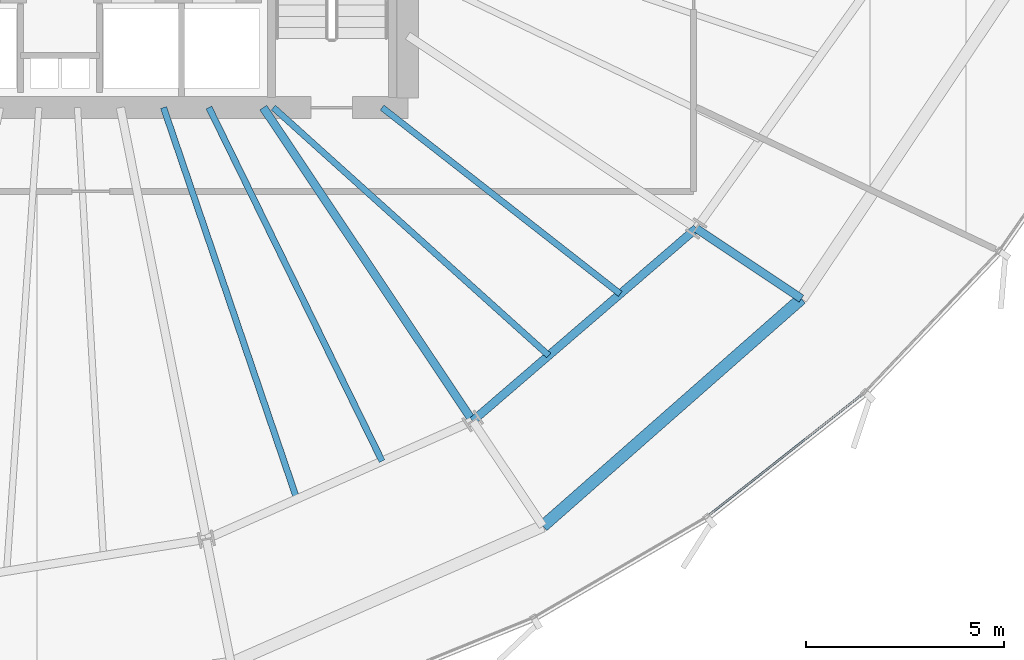
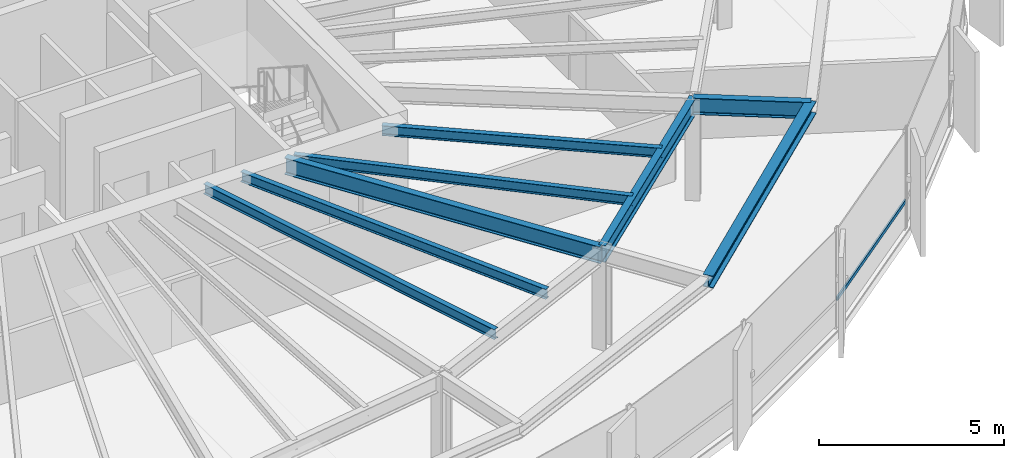
# One storey, part 13 of 35: 8 beams, 1 member, 1 element without a shape of its own.
"""IFC4 building model written with IfcOpenShell, lengths in metres."""

from ifc_helpers import new_model, si_unit, direction, frame, origin, origin_2d, place, context, subcontext, project, spatial, hollow_rectangle, i_section, extrude, source, transform, mapped, material, layer, layer_set, material_profile, profile_set, type_object, element, aggregate, save


model = new_model("IFC4")

# Units and contexts
model_context = context("Model", 3, precision=1e-05, world=origin(), true_north=direction((0.0, 1.0)))
body_context = subcontext(model_context, "Body", "Model", "MODEL_VIEW")
ifc_project = project(units=[si_unit("LENGTHUNIT", "METRE"), si_unit("AREAUNIT", "SQUARE_METRE"), si_unit("VOLUMEUNIT", "CUBIC_METRE"), si_unit("PLANEANGLEUNIT", "RADIAN"), si_unit("MASSUNIT", "GRAM", prefix="KILO"), si_unit("THERMODYNAMICTEMPERATUREUNIT", "KELVIN")], contexts=[model_context])

# Site, building, storey
site_placement = place(None, origin())
site = spatial("IfcSite", under=ifc_project, at=site_placement, CompositionType="ELEMENT")
building_placement = place(site_placement, origin())
building = spatial("IfcBuilding", under=site, at=building_placement, Name="Kethvar Cultural Tower", CompositionType="ELEMENT")
storey_placement = place(building_placement, frame((0.0, 0.0, 107.199951171875)))
storey = spatial("IfcBuildingStorey", under=building, at=storey_placement, Name="L26", CompositionType="ELEMENT", Elevation=107.199951171875)

# Beams
ifc_material_1 = material(Name="Steel S355J2", Category="steel")
ifc_material_profile_1 = material_profile(ifc_material_1, i_section(OverallWidth=0.2099609375, OverallDepth=0.550048828125, WebThickness=0.010986328125, FlangeThickness=0.01708984375, FilletRadius=0.02392578125, at=origin_2d()), Name="Steel S355J2 — IPE550")
ifc_profile_set_1 = profile_set([ifc_material_profile_1], Name="Steel S355J2 — IPE550")
beam_type_1 = type_object("IfcBeamType", Name="BM-IPE550", PredefinedType="BEAM", material=ifc_profile_set_1)
shared_shape_1 = source(origin(), body_context, "Body", "SweptSolid", [
    extrude(i_section(OverallWidth=0.2099609375, OverallDepth=0.550048828125, WebThickness=0.010986328125, FlangeThickness=0.01708984375, FilletRadius=0.02392578125, at=origin_2d()), origin(), (0.0, 0.0, 1.0), 3.199951171875),
])
beam_1_placement = place(storey_placement, frame((62.898681640625, 17.043212890625, 3.072998046875), z_axis=(0.831462943996, -0.555580212716, 0.0), x_axis=(0.555580212716, 0.831462943996, 0.0)))
element("IfcBeam", 1, at=beam_1_placement, inside=storey, type_object=beam_type_1, Name="L26 Perimeter Cantilever Beam RC-15", PredefinedType="BEAM", context=body_context, shape_type="MappedRepresentation", body=[
    mapped(shared_shape_1, transform((0.0, 0.0, 0.0), scale=1.0)),
])
shared_shape_2 = source(origin(), body_context, "Body", "SweptSolid", [
    extrude(i_section(OverallWidth=0.2099609375, OverallDepth=0.550048828125, WebThickness=0.010986328125, FlangeThickness=0.01708984375, FilletRadius=0.02392578125, at=origin_2d()), origin(), (0.0, 0.0, 1.0), 9.534423828125),
])
beam_2_placement = place(storey_placement, frame((51.945068359375, 20.10009765625, 3.072998046875), z_axis=(0.555550817894, -0.831482584747, 0.0), x_axis=(0.831482584747, 0.555550817894, 0.0)))
element("IfcBeam", 2, at=beam_2_placement, inside=storey, type_object=beam_type_1, Name="L26 Primary Radial Beam RB-14", PredefinedType="BEAM", context=body_context, shape_type="MappedRepresentation", body=[
    mapped(shared_shape_2, transform((0.0, 0.0, 0.0), scale=1.0)),
])
ifc_material_profile_2 = material_profile(ifc_material_1, i_section(OverallWidth=0.159912109375, OverallDepth=0.330078125, WebThickness=0.007568359375, FlangeThickness=0.011474609375, FilletRadius=0.01806640625, at=origin_2d()), Name="Steel S355J2 — IPE330")
ifc_profile_set_2 = profile_set([ifc_material_profile_2], Name="Steel S355J2 — IPE330")
beam_type_2 = type_object("IfcBeamType", Name="BM-J330", PredefinedType="JOIST", material=ifc_profile_set_2)
shared_shape_3 = source(origin(), body_context, "Body", "SweptSolid", [
    extrude(i_section(OverallWidth=0.159912109375, OverallDepth=0.330078125, WebThickness=0.007568359375, FlangeThickness=0.011474609375, FilletRadius=0.01806640625, at=origin_2d()), origin(), (0.0, 0.0, 1.0), 10.45947265625),
])
beam_3_placement = place(storey_placement, frame((49.42236328125, 20.10009765625, 3.18310546875), z_axis=(0.322390188368, -0.94660687006, 0.0), x_axis=(0.94660687006, 0.322390188368, 0.0)))
element("IfcBeam", 3, at=beam_3_placement, inside=storey, type_object=beam_type_2, Name="L26 Composite Floor Joist J-13A", PredefinedType="JOIST", context=body_context, shape_type="MappedRepresentation", body=[
    mapped(shared_shape_3, transform((0.0, 0.0, 0.0), scale=1.0)),
])
shared_shape_4 = source(origin(), body_context, "Body", "SweptSolid", [
    extrude(i_section(OverallWidth=0.159912109375, OverallDepth=0.330078125, WebThickness=0.007568359375, FlangeThickness=0.011474609375, FilletRadius=0.01806640625, at=origin_2d()), origin(), (0.0, 0.0, 1.0), 9.959228515625),
])
beam_4_placement = place(storey_placement, frame((50.57080078125, 20.10009765625, 3.18310546875), z_axis=(0.439785134514, -0.898103020516, 0.0), x_axis=(0.898103020516, 0.439785134514, 0.0)))
element("IfcBeam", 4, at=beam_4_placement, inside=storey, type_object=beam_type_2, Name="L26 Composite Floor Joist J-13B", PredefinedType="JOIST", context=body_context, shape_type="MappedRepresentation", body=[
    mapped(shared_shape_4, transform((0.0, 0.0, 0.0), scale=1.0)),
])
shared_shape_5 = source(origin(), body_context, "Body", "SweptSolid", [
    extrude(i_section(OverallWidth=0.2099609375, OverallDepth=0.550048828125, WebThickness=0.010986328125, FlangeThickness=0.01708984375, FilletRadius=0.02392578125, at=origin_2d()), origin(), (0.0, 0.0, 1.0), 7.46484375),
])
beam_5_placement = place(storey_placement, frame((57.241943359375, 12.17236328125, 3.072998046875), z_axis=(0.757784075291, 0.652505398625, 0.0), x_axis=(-0.652505398625, 0.757784075291, 0.0)))
element("IfcBeam", 5, at=beam_5_placement, inside=storey, type_object=beam_type_1, Name="L26 Column Ring Tie Beam CR-14", PredefinedType="BEAM", context=body_context, shape_type="MappedRepresentation", body=[
    mapped(shared_shape_5, transform((0.0, 0.0, 0.0), scale=1.0)),
])
ifc_material_profile_3 = material_profile(ifc_material_1, i_section(OverallWidth=0.300048828125, OverallDepth=0.39990234375, WebThickness=0.013427734375, FlangeThickness=0.02392578125, FilletRadius=0.027099609375, at=origin_2d()), Name="Steel S355J2 — HEB400")
ifc_profile_set_3 = profile_set([ifc_material_profile_3], Name="Steel S355J2 — HEB400")
beam_type_3 = type_object("IfcBeamType", Name="BM-SP400", PredefinedType="SPANDREL", material=ifc_profile_set_3)
shared_shape_6 = source(origin(), body_context, "Body", "SweptSolid", [
    extrude(i_section(OverallWidth=0.300048828125, OverallDepth=0.39990234375, WebThickness=0.013427734375, FlangeThickness=0.02392578125, FilletRadius=0.027099609375, at=origin_2d()), origin(), (0.0, 0.0, 1.0), 8.71044921875),
])
beam_6_placement = place(storey_placement, frame((59.019775390625, 9.51171875, 3.14794921875), z_axis=(0.75077856833, 0.660553965498, 0.0), x_axis=(-0.660553965498, 0.75077856833, 0.0)))
element("IfcBeam", 6, at=beam_6_placement, inside=storey, type_object=beam_type_3, Name="L26 Perimeter Spandrel Beam SP-14", PredefinedType="SPANDREL", context=body_context, shape_type="MappedRepresentation", body=[
    mapped(shared_shape_6, transform((0.0, 0.0, 0.0), scale=1.0)),
])
shared_shape_7 = source(origin(), body_context, "Body", "SweptSolid", [
    extrude(i_section(OverallWidth=0.159912109375, OverallDepth=0.330078125, WebThickness=0.007568359375, FlangeThickness=0.011474609375, FilletRadius=0.01806640625, at=origin_2d()), origin(), (0.0, 0.0, 1.0), 9.372802734375),
])
beam_7_placement = place(storey_placement, frame((52.199951171875, 20.10009765625, 3.18310546875), z_axis=(0.743151656479, -0.669123019685, 0.0), x_axis=(0.669123019685, 0.743151656479, 0.0)))
element("IfcBeam", 7, at=beam_7_placement, inside=storey, type_object=beam_type_2, Name="L26 Composite Floor Joist J-14A", PredefinedType="JOIST", context=body_context, shape_type="MappedRepresentation", body=[
    mapped(shared_shape_7, transform((0.0, 0.0, 0.0), scale=1.0)),
])
shared_shape_8 = source(origin(), body_context, "Body", "SweptSolid", [
    extrude(i_section(OverallWidth=0.159912109375, OverallDepth=0.330078125, WebThickness=0.007568359375, FlangeThickness=0.011474609375, FilletRadius=0.01806640625, at=origin_2d()), origin(), (0.0, 0.0, 1.0), 7.649658203125),
])
beam_8_placement = place(storey_placement, frame((54.949951171875, 20.10009765625, 3.18310546875), z_axis=(0.787671994752, -0.616094821179, 0.0), x_axis=(0.616094821179, 0.787671994752, 0.0)))
element("IfcBeam", 8, at=beam_8_placement, inside=storey, type_object=beam_type_2, Name="L26 Composite Floor Joist J-14B", PredefinedType="JOIST", context=body_context, shape_type="MappedRepresentation", body=[
    mapped(shared_shape_8, transform((0.0, 0.0, 0.0), scale=1.0)),
])

# Curtain wall, member
ifc_material_2 = material(Name="Aluminium 6063-T6", Category="aluminium")
ifc_layer = layer(ifc_material_2, 0.179931640625, Name="Aluminium 6063-T6", Category="aluminium")
ifc_layer_set = layer_set([ifc_layer], Name="Aluminium 6063-T6 (180 mm)")
curtain_wall_type = type_object("IfcCurtainWallType", Name="CW-SYS-03-Z2", PredefinedType="NOTDEFINED", material=ifc_layer_set)
curtain_wall_placement = place(storey_placement, origin())
curtain_wall = element("IfcCurtainWall", 9, at=curtain_wall_placement, inside=storey, type_object=curtain_wall_type, Name="L26 Curtain Wall Run 05", PredefinedType="NOTDEFINED")
ifc_material_profile_4 = material_profile(ifc_material_2, hollow_rectangle(XDim=0.054931640625, YDim=0.1201171875, WallThickness=0.00390625, at=origin_2d()), Name="Aluminium 6063-T6 — RHS120x55x4")
ifc_profile_set_4 = profile_set([ifc_material_profile_4], Name="Aluminium 6063-T6 — RHS120x55x4")
member_type = type_object("IfcMemberType", Name="CW-SYS-03-Z2-TRN", PredefinedType="USERDEFINED", material=ifc_profile_set_4)
shared_shape_9 = source(origin(), body_context, "Body", "SweptSolid", [
    extrude(hollow_rectangle(XDim=0.054931640625, YDim=0.1201171875, WallThickness=0.00390625, at=origin_2d()), origin(), (0.0, 0.0, 1.0), 4.97900390625),
])
member_placement = place(storey_placement, frame((63.198974609375, 9.774658203125, 0.949951171875), z_axis=(0.785662828616, 0.618654927832, 0.0), x_axis=(-0.618654927832, 0.785662828616, 0.0)))
member = element("IfcMember", 10, at=member_placement, type_object=member_type, Name="CW-L26-R05 Transom 6", ObjectType="TRANSOM", PredefinedType="USERDEFINED", context=body_context, shape_type="MappedRepresentation", body=[
    mapped(shared_shape_9, transform((0.0, 0.0, 0.0), scale=1.0)),
])
aggregate(curtain_wall, [member])

save(model, "model.ifc")
